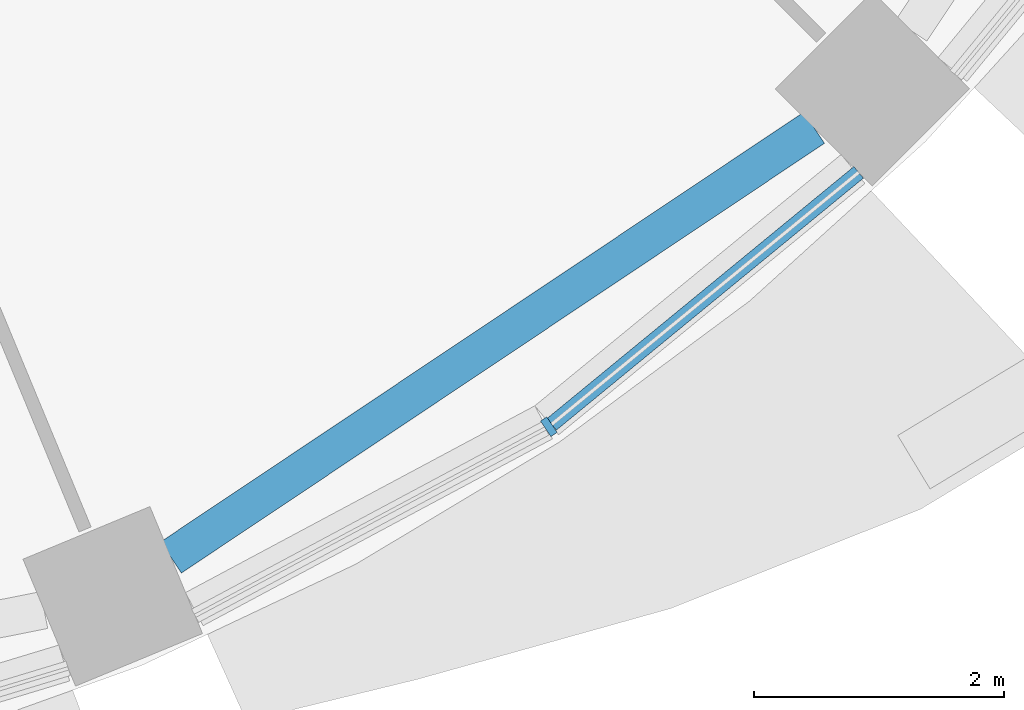
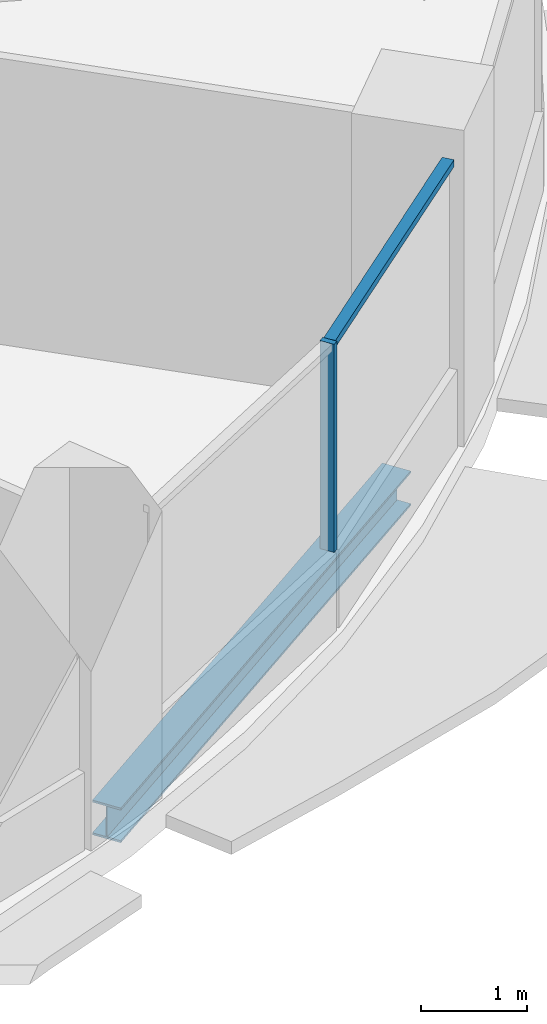
# One storey, part 3 of 15: 2 members, 1 beam, 1 element without a shape of its own.
"""IFC4 building model written with IfcOpenShell, lengths in metres."""

from ifc_helpers import new_model, si_unit, direction, frame, origin, origin_2d, place, context, subcontext, project, spatial, rectangle, i_section, extrude, material, material_profile, profile_set, type_object, element, aggregate, save


model = new_model("IFC4")

# Units and contexts
model_context = context("Model", 3, precision=1e-05, world=origin(), true_north=direction((0.0, 1.0)))
body_context = subcontext(model_context, "Body", "Model", "MODEL_VIEW")
ifc_project = project(units=[si_unit("LENGTHUNIT", "METRE"), si_unit("AREAUNIT", "SQUARE_METRE"), si_unit("VOLUMEUNIT", "CUBIC_METRE"), si_unit("PLANEANGLEUNIT", "RADIAN"), si_unit("MASSUNIT", "GRAM", prefix="KILO")], contexts=[model_context])

# Site, building, storey
site_placement = place(None, origin())
site = spatial("IfcSite", under=ifc_project, at=site_placement, CompositionType="ELEMENT")
building_placement = place(site_placement, origin())
building = spatial("IfcBuilding", under=site, at=building_placement, Name="Polderwave Tower", CompositionType="ELEMENT")
storey_placement = place(building_placement, frame((0.0, 0.0, 83.699951171875)))
storey = spatial("IfcBuildingStorey", under=building, at=storey_placement, Name="L21", CompositionType="ELEMENT", Elevation=83.699951171875)

# Curtain wall, members
ifc_material_1 = material(Name="Aluminium 6063-T6 and glass", Category="aluminium")
curtain_wall_type = type_object("IfcCurtainWallType", Name="Growing floor ribbon glazing wall", PredefinedType="NOTDEFINED", material=ifc_material_1)
curtain_wall_placement = place(storey_placement, origin())
curtain_wall = element("IfcCurtainWall", 1, at=curtain_wall_placement, inside=storey, type_object=curtain_wall_type, Name="CW2 L21 13", PredefinedType="NOTDEFINED")
ifc_material_2 = material(Name="Aluminium 6063-T6", Category="aluminium")
ifc_material_profile_1 = material_profile(ifc_material_2, rectangle(XDim=0.14990234375, YDim=0.06005859375, at=origin_2d()), Name="AL 60x150")
ifc_profile_set_1 = profile_set([ifc_material_profile_1], Name="Aluminium 6063-T6")
member_type_1 = type_object("IfcMemberType", Name="Growing floor ribbon glazing mullion 60x150", PredefinedType="MULLION", material=ifc_profile_set_1)
member_1_placement = place(storey_placement, frame((10.6669921875, -15.964111328125, 0.900146484375), z_axis=(0.0, 0.0, 1.0), x_axis=(-0.555607963342, 0.831444400469, 0.0)))
member_1 = element("IfcMember", 2, at=member_1_placement, type_object=member_type_1, Name="CW2 mullion 1", PredefinedType="MULLION", context=body_context, shape_type="SweptSolid", body=[
    extrude(rectangle(XDim=0.14990234375, YDim=0.06005859375, at=origin_2d()), origin(), (0.0, 0.0, 1.0), 2.39990234375),
])
ifc_material_profile_2 = material_profile(ifc_material_2, rectangle(XDim=0.1201171875, YDim=0.080078125, at=origin_2d()), Name="AL 80x120")
ifc_profile_set_2 = profile_set([ifc_material_profile_2], Name="Aluminium 6063-T6")
member_type_2 = type_object("IfcMemberType", Name="Growing floor ribbon glazing transom 80x120", PredefinedType="USERDEFINED", material=ifc_profile_set_2)
member_2_placement = place(storey_placement, frame((10.690185546875, -15.945068359375, 3.260009765625), z_axis=(0.772974924898, 0.634436573251, 0.0), x_axis=(-0.634436573251, 0.772974924898, 0.0)))
member_2 = element("IfcMember", 3, at=member_2_placement, type_object=member_type_2, Name="CW2 transom 2", ObjectType="TRANSOM", PredefinedType="USERDEFINED", context=body_context, shape_type="SweptSolid", body=[
    extrude(rectangle(XDim=0.1201171875, YDim=0.080078125, at=origin_2d()), origin(), (0.0, 0.0, 1.0), 3.180908203125),
])
aggregate(curtain_wall, [member_1, member_2])

# Beam
ifc_material_3 = material(Name="Steel S355", Category="steel")
ifc_material_profile_3 = material_profile(ifc_material_3, i_section(OverallWidth=0.300048828125, OverallDepth=0.39990234375, WebThickness=0.013427734375, FlangeThickness=0.02392578125, at=origin_2d()), Name="HE 400 B")
ifc_profile_set_3 = profile_set([ifc_material_profile_3], Name="Steel S355")
beam_type = type_object("IfcBeamType", Name="RING BEAM HE 400 B", PredefinedType="BEAM", material=ifc_profile_set_3)
beam_placement = place(storey_placement, frame((7.6416015625, -17.01123046875, -0.550048828125), z_axis=(0.831467728736, 0.555573051966, 0.0), x_axis=(-0.555573051966, 0.831467728736, 0.0)))
element("IfcBeam", 4, at=beam_placement, inside=storey, type_object=beam_type, Name="ST-RB-L21-13", PredefinedType="BEAM", context=body_context, shape_type="SweptSolid", body=[
    extrude(i_section(OverallWidth=0.300048828125, OverallDepth=0.39990234375, WebThickness=0.013427734375, FlangeThickness=0.02392578125, at=origin_2d()), origin(), (0.0, 0.0, 1.0), 6.1943359375),
])

save(model, "model.ifc")
